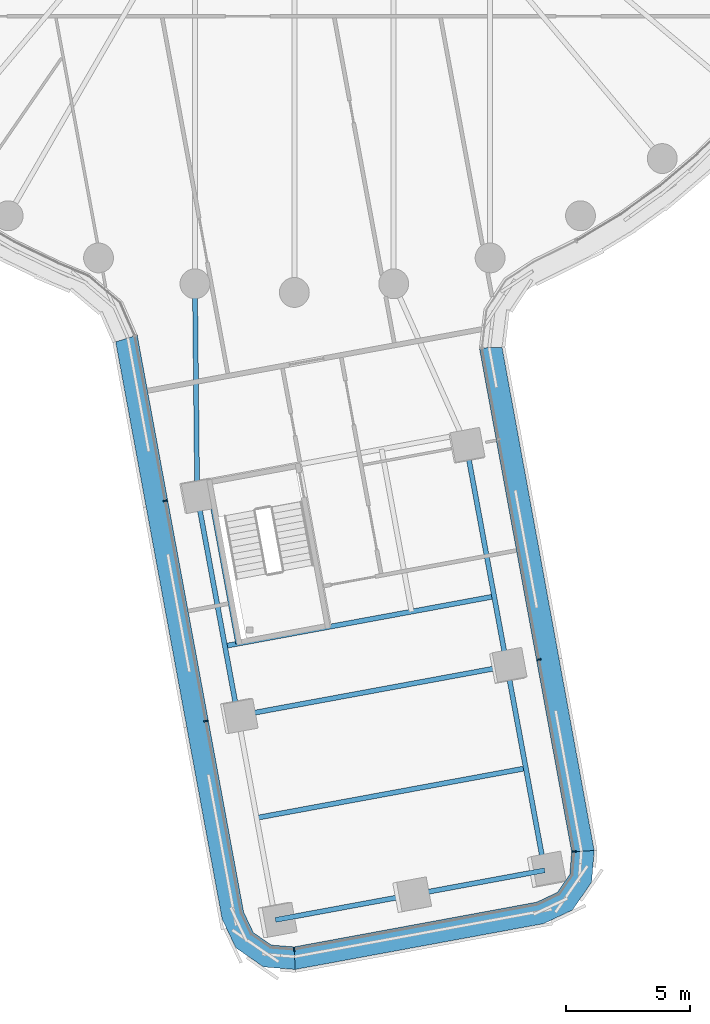
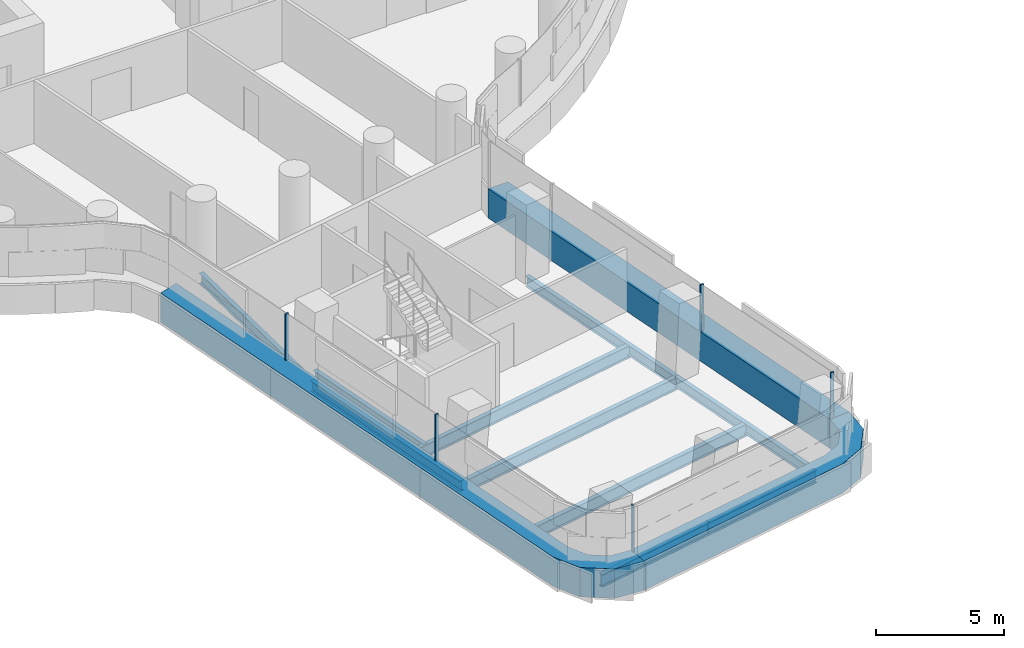
# One storey, part 4 of 33: 10 beams, 8 members, 3 elements without a shape of their own.
"""IFC4 building model written with IfcOpenShell, lengths in metres."""

from ifc_helpers import new_model, si_unit, direction, frame, origin, origin_2d, place, context, subcontext, project, spatial, polyline, rectangle, i_section, outline, extrude, material, layer, layer_set, material_profile, profile_set, type_object, element, aggregate, save


model = new_model("IFC4")

# Units and contexts
model_context = context("Model", 3, precision=1e-05, world=origin(), true_north=direction((0.0, 1.0)))
body_context = subcontext(model_context, "Body", "Model", "MODEL_VIEW")
ifc_project = project(units=[si_unit("LENGTHUNIT", "METRE"), si_unit("AREAUNIT", "SQUARE_METRE"), si_unit("VOLUMEUNIT", "CUBIC_METRE"), si_unit("PLANEANGLEUNIT", "RADIAN"), si_unit("MASSUNIT", "GRAM", prefix="KILO")], contexts=[model_context])

# Site, building, storey
site_placement = place(None, origin())
site = spatial("IfcSite", under=ifc_project, at=site_placement, CompositionType="ELEMENT")
building_placement = place(site_placement, origin())
building = spatial("IfcBuilding", under=site, at=building_placement, Name="Tamarind Cross Interchange Tower", CompositionType="ELEMENT")
storey_placement = place(building_placement, frame((0.0, 0.0, 71.5)))
storey = spatial("IfcBuildingStorey", under=building, at=storey_placement, Name="L16", CompositionType="ELEMENT", Elevation=71.5)

# Beams
ifc_material_1 = material(Name="Steel Q355B", Category="steel")
ifc_material_profile_1 = material_profile(ifc_material_1, i_section(OverallWidth=0.198974609375, OverallDepth=0.49609375, WebThickness=0.009033203125, FlangeThickness=0.013916015625, FilletRadius=0.012939453125, at=origin_2d()), Name="HN 496x199x9x14")
ifc_profile_set_1 = profile_set([ifc_material_profile_1], Name="Steel Q355B")
beam_type_1 = type_object("IfcBeamType", Name="Composite beam HN 496x199x9x14 Q355B", PredefinedType="BEAM", material=ifc_profile_set_1)
beam_1_placement = place(storey_placement, frame((-2.271484375, -40.010498046875, -0.387939453125), z_axis=(-0.181341247573, 0.983420231604, 0.0), x_axis=(-0.983420231604, -0.181341247573, 0.0)))
element("IfcBeam", 1, at=beam_1_placement, inside=storey, type_object=beam_type_1, Name="Beam S-edgeem6", PredefinedType="BEAM", context=body_context, shape_type="SweptSolid", body=[
    extrude(i_section(OverallWidth=0.198974609375, OverallDepth=0.49609375, WebThickness=0.009033203125, FlangeThickness=0.013916015625, FilletRadius=0.012939453125, at=origin_2d()), origin(), (0.0, 0.0, 1.0), 9.0),
])
beam_2_placement = place(storey_placement, frame((10.058837890625, -46.219482421875, -0.387939453125), z_axis=(-0.181336733309, 0.983421064017, 0.0), x_axis=(-0.983421064017, -0.181336733309, 0.0)))
element("IfcBeam", 2, at=beam_2_placement, inside=storey, type_object=beam_type_1, Name="Beam S-edgeep2", PredefinedType="BEAM", context=body_context, shape_type="SweptSolid", body=[
    extrude(i_section(OverallWidth=0.198974609375, OverallDepth=0.49609375, WebThickness=0.009033203125, FlangeThickness=0.013916015625, FilletRadius=0.012939453125, at=origin_2d()), origin(), (0.0, 0.0, 1.0), 8.341796875),
])
beam_3_placement = place(storey_placement, frame((8.546142578125, -38.015869140625, -0.387939453125), z_axis=(-0.181341247573, 0.983420231604, 0.0), x_axis=(-0.983420231604, -0.181341247573, 0.0)))
element("IfcBeam", 3, at=beam_3_placement, inside=storey, type_object=beam_type_1, Name="Beam S-edgeep3", PredefinedType="BEAM", context=body_context, shape_type="SweptSolid", body=[
    extrude(i_section(OverallWidth=0.198974609375, OverallDepth=0.49609375, WebThickness=0.009033203125, FlangeThickness=0.013916015625, FilletRadius=0.012939453125, at=origin_2d()), origin(), (0.0, 0.0, 1.0), 9.0),
])
beam_4_placement = place(storey_placement, frame((-3.903564453125, -31.15966796875, -0.387939453125), z_axis=(-0.010615417677, 0.999943654866, 0.0), x_axis=(-0.999943654866, -0.010615417677, 0.0)))
element("IfcBeam", 4, at=beam_4_placement, inside=storey, type_object=beam_type_1, Name="Beam S-linkem", PredefinedType="BEAM", context=body_context, shape_type="SweptSolid", body=[
    extrude(i_section(OverallWidth=0.198974609375, OverallDepth=0.49609375, WebThickness=0.009033203125, FlangeThickness=0.013916015625, FilletRadius=0.012939453125, at=origin_2d()), origin(), (0.0, 0.0, 1.0), 8.509521484375),
])
beam_5_placement = place(storey_placement, frame((-3.460693359375, -30.584716796875, -0.387939453125), z_axis=(0.181361901743, -0.983416422781, 0.0), x_axis=(0.983416422781, 0.181361901743, 0.0)))
element("IfcBeam", 5, at=beam_5_placement, inside=storey, type_object=beam_type_1, Name="Beam S-tr0", PredefinedType="BEAM", context=body_context, shape_type="SweptSolid", body=[
    extrude(i_section(OverallWidth=0.198974609375, OverallDepth=0.49609375, WebThickness=0.009033203125, FlangeThickness=0.013916015625, FilletRadius=0.012939453125, at=origin_2d()), origin(), (0.0, 0.0, 1.0), 6.63525390625),
])
ifc_material_profile_2 = material_profile(ifc_material_1, i_section(OverallWidth=0.199951171875, OverallDepth=0.60009765625, WebThickness=0.010986328125, FlangeThickness=0.01708984375, FilletRadius=0.012939453125, at=origin_2d()), Name="HN 600x200x11x17")
ifc_profile_set_2 = profile_set([ifc_material_profile_2], Name="Steel Q355B")
beam_type_2 = type_object("IfcBeamType", Name="Composite beam HN 600x200x11x17 Q355B", PredefinedType="BEAM", material=ifc_profile_set_2)
beam_6_placement = place(storey_placement, frame((-0.7587890625, -48.21435546875, -0.43994140625), z_axis=(0.983421538482, 0.181334160183, 0.0), x_axis=(-0.181334160183, 0.983421538482, 0.0)))
element("IfcBeam", 6, at=beam_6_placement, inside=storey, type_object=beam_type_2, Name="Beam S-tip0", PredefinedType="BEAM", context=body_context, shape_type="SweptSolid", body=[
    extrude(i_section(OverallWidth=0.199951171875, OverallDepth=0.60009765625, WebThickness=0.010986328125, FlangeThickness=0.01708984375, FilletRadius=0.012939453125, at=origin_2d()), origin(), (0.0, 0.0, 1.0), 5.499755859375),
])
beam_7_placement = place(storey_placement, frame((4.64990234375, -47.217041015625, -0.43994140625), z_axis=(0.983415081816, 0.181369172841, 0.0), x_axis=(-0.181369172841, 0.983415081816, 0.0)))
element("IfcBeam", 7, at=beam_7_placement, inside=storey, type_object=beam_type_2, Name="Beam S-tip1", PredefinedType="BEAM", context=body_context, shape_type="SweptSolid", body=[
    extrude(i_section(OverallWidth=0.199951171875, OverallDepth=0.60009765625, WebThickness=0.010986328125, FlangeThickness=0.01708984375, FilletRadius=0.012939453125, at=origin_2d()), origin(), (0.0, 0.0, 1.0), 5.500244140625),
])
for number, where, z_axis, x_axis, name in (
    (8, (-2.788330078125, -37.207763671875, -0.43994140625), (0.98342226828, 0.181330202258, 0.0), (-0.181330202258, 0.98342226828, 0.0), "Beam S-x364"),
    (9, (-2.271484375, -40.010498046875, -0.43994140625), (0.98342226828, 0.181330202258, 0.0), (-0.181330202258, 0.98342226828, 0.0), "Beam S-x393"),
    (10, (-1.51513671875, -44.112548828125, -0.43994140625), (0.983418310221, 0.181351666994, 0.0), (-0.181351666994, 0.983418310221, 0.0), "Beam S-x435"),
):
    element("IfcBeam", number, at=place(storey_placement, frame(where, z_axis=z_axis, x_axis=x_axis)), inside=storey, type_object=beam_type_2, Name=name, PredefinedType="BEAM", context=body_context, shape_type="SweptSolid", body=[
        extrude(i_section(OverallWidth=0.199951171875, OverallDepth=0.60009765625, WebThickness=0.010986328125, FlangeThickness=0.01708984375, FilletRadius=0.012939453125, at=origin_2d()), origin(), (0.0, 0.0, 1.0), 11.0),
    ])

# Curtain wall, member
ifc_material_2 = material(Name="Aluminium 6063-T6", Category="aluminium")
ifc_layer = layer(ifc_material_2, 0.159912109375)
ifc_layer_set = layer_set([ifc_layer], Name="Aluminium 6063-T6")
curtain_wall_type = type_object("IfcCurtainWallType", Name="Office curtain wall, 9.0 m bays", PredefinedType="NOTDEFINED", material=ifc_layer_set)
curtain_wall_1_placement = place(storey_placement, origin())
curtain_wall_1 = element("IfcCurtainWall", 11, at=curtain_wall_1_placement, inside=storey, type_object=curtain_wall_type, Name="CWS-L16-03", PredefinedType="NOTDEFINED")
ifc_material_3 = material(Name="Aluminium and insulated spandrel panel", Category="aluminium")
member_type_1 = type_object("IfcMemberType", Name="Floor-edge blade transom", PredefinedType="USERDEFINED", material=ifc_material_3)
member_1_placement = place(storey_placement, origin())
member_1 = element("IfcMember", 12, at=member_1_placement, type_object=member_type_1, Name="CWT-L16-03", ObjectType="TRANSOM", PredefinedType="USERDEFINED", context=body_context, shape_type="SweptSolid", body=[
    extrude(outline(polyline([(-6.311767578125, -24.71728515625), (-2.03662109375, -47.9013671875), (-1.643310546875, -48.72802734375), (-0.923095703125, -49.223876953125), (-0.0107421875, -49.296630859375), (0.0361328125, -50.203125), (-1.23486328125, -50.10205078125), (-2.3525390625, -49.33251953125), (-2.900390625, -48.18115234375), (-7.177978515625, -24.983154296875), (-6.311767578125, -24.71728515625)])), origin(), (0.0, 0.0, 1.0), 1.39990234375),
])

curtain_wall_2_placement = place(storey_placement, origin())
curtain_wall_2 = element("IfcCurtainWall", 13, at=curtain_wall_2_placement, inside=storey, type_object=curtain_wall_type, Name="CWS-L16-04", PredefinedType="NOTDEFINED")
member_2_placement = place(storey_placement, origin())
member_2 = element("IfcMember", 14, at=member_2_placement, type_object=member_type_1, Name="CWT-L16-04", ObjectType="TRANSOM", PredefinedType="USERDEFINED", context=body_context, shape_type="SweptSolid", body=[
    extrude(outline(polyline([(-0.0107421875, -49.296630859375), (9.745849609375, -47.49755859375), (10.572509765625, -47.104248046875), (11.068359375, -46.384033203125), (11.14111328125, -45.47119140625), (12.047607421875, -45.425048828125), (11.946533203125, -46.69580078125), (11.177001953125, -47.813232421875), (10.025634765625, -48.361083984375), (0.0361328125, -50.203125), (-0.0107421875, -49.296630859375)])), origin(), (0.0, 0.0, 1.0), 1.39990234375),
])

curtain_wall_3_placement = place(storey_placement, origin())
curtain_wall_3 = element("IfcCurtainWall", 15, at=curtain_wall_3_placement, inside=storey, type_object=curtain_wall_type, Name="CWS-L16-05", PredefinedType="NOTDEFINED")
member_3_placement = place(storey_placement, origin())
member_3 = element("IfcMember", 16, at=member_3_placement, type_object=member_type_1, Name="CWT-L16-05", ObjectType="TRANSOM", PredefinedType="USERDEFINED", context=body_context, shape_type="SweptSolid", body=[
    extrude(outline(polyline([(11.14111328125, -45.47119140625), (7.435546875, -25.23046875), (8.34521484375, -25.201904296875), (12.047607421875, -45.425048828125), (11.14111328125, -45.47119140625)])), origin(), (0.0, 0.0, 1.0), 1.39990234375),
])

# Member
ifc_material_profile_3 = material_profile(ifc_material_2, rectangle(XDim=0.06005859375, YDim=0.159912109375, at=origin_2d()), Name="Mullion CW1")
ifc_profile_set_3 = profile_set([ifc_material_profile_3], Name="Aluminium 6063-T6")
member_type_2 = type_object("IfcMemberType", Name="Mullion CW1", PredefinedType="MULLION", material=ifc_profile_set_3)
member_4_placement = place(storey_placement, frame((-5.1865234375, -31.371826171875, 1.39990234375), z_axis=(0.0, 0.0, 1.0), x_axis=(0.181343076715, -0.983419894311, 0.0)))
member_4 = element("IfcMember", 17, at=member_4_placement, type_object=member_type_2, Name="CWM-L16-03-01", PredefinedType="MULLION", context=body_context, shape_type="SweptSolid", body=[
    extrude(rectangle(XDim=0.06005859375, YDim=0.159912109375, at=origin_2d()), origin(), (0.0, 0.0, 1.0), 2.210205078125),
])

member_5_placement = place(storey_placement, frame((-3.5546875, -40.221435546875, 1.39990234375), z_axis=(0.0, 0.0, 1.0), x_axis=(0.181343076715, -0.983419894311, 0.0)))
member_5 = element("IfcMember", 18, at=member_5_placement, type_object=member_type_2, Name="CWM-L16-03-02", PredefinedType="MULLION", context=body_context, shape_type="SweptSolid", body=[
    extrude(rectangle(XDim=0.06005859375, YDim=0.159912109375, at=origin_2d()), origin(), (0.0, 0.0, 1.0), 2.210205078125),
])

aggregate(curtain_wall_1, [member_4, member_5, member_1])

member_6_placement = place(storey_placement, frame((-0.00537109375, -49.3974609375, 1.39990234375), z_axis=(0.0, 0.0, 1.0), x_axis=(0.998676622077, 0.051429607397, 0.0)))
member_6 = element("IfcMember", 19, at=member_6_placement, type_object=member_type_2, Name="CWM-L16-04-00", PredefinedType="MULLION", context=body_context, shape_type="SweptSolid", body=[
    extrude(rectangle(XDim=0.06005859375, YDim=0.159912109375, at=origin_2d()), origin(), (0.0, 0.0, 1.0), 2.210205078125),
])

aggregate(curtain_wall_2, [member_6, member_2])

member_7_placement = place(storey_placement, frame((11.241943359375, -45.466064453125, 1.39990234375), z_axis=(0.0, 0.0, 1.0), x_axis=(-0.050791479342, 0.998709279834, 0.0)))
member_7 = element("IfcMember", 20, at=member_7_placement, type_object=member_type_2, Name="CWM-L16-05-00", PredefinedType="MULLION", context=body_context, shape_type="SweptSolid", body=[
    extrude(rectangle(XDim=0.06005859375, YDim=0.159912109375, at=origin_2d()), origin(), (0.0, 0.0, 1.0), 2.210205078125),
])

member_8_placement = place(storey_placement, frame((9.829345703125, -37.750732421875, 1.39990234375), z_axis=(0.0, 0.0, 1.0), x_axis=(-0.180086190758, 0.98365083434, 0.0)))
member_8 = element("IfcMember", 21, at=member_8_placement, type_object=member_type_2, Name="CWM-L16-05-01", PredefinedType="MULLION", context=body_context, shape_type="SweptSolid", body=[
    extrude(rectangle(XDim=0.06005859375, YDim=0.159912109375, at=origin_2d()), origin(), (0.0, 0.0, 1.0), 2.210205078125),
])

aggregate(curtain_wall_3, [member_7, member_8, member_3])

save(model, "model.ifc")
